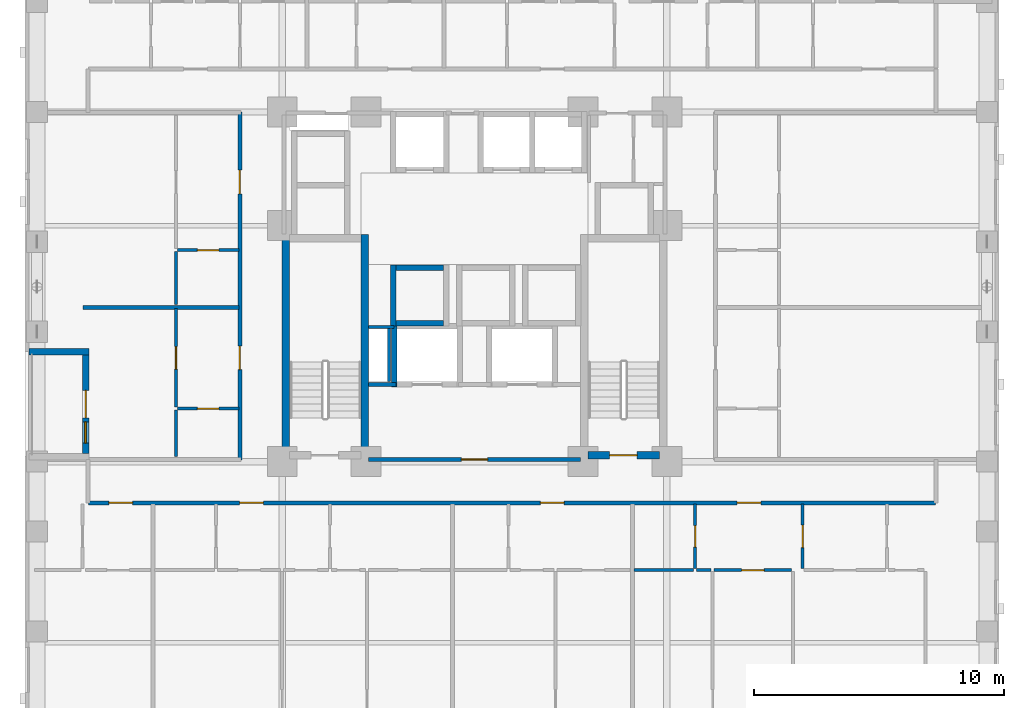
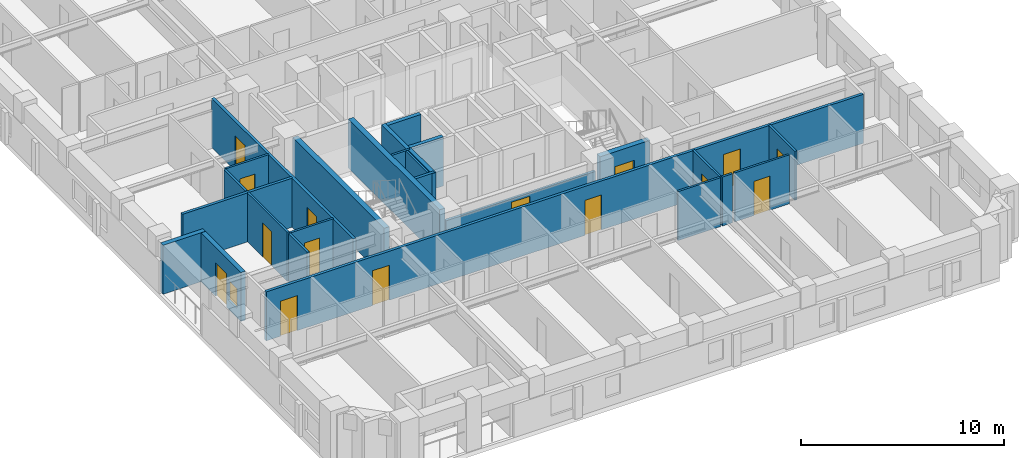
# One storey, part 4 of 14: 26 walls, 15 doors, 1 window, 16 openings.
"""IFC4 building model written with IfcOpenShell, lengths in metres."""

from ifc_helpers import new_model, si_unit, derived_unit, direction, frame, frame_2d, origin, place, context, subcontext, project, spatial, rectangle, extrude, material, layer, layer_set, type_object, element, fill, save


model = new_model("IFC4")

# Units and contexts
model_context = context("Model", 3, precision=1e-05, world=origin(), true_north=direction((0.0, 1.0)))
body_context = subcontext(model_context, "Body", "Model", "MODEL_VIEW")
ifc_project = project(units=[si_unit("LENGTHUNIT", "METRE"), si_unit("AREAUNIT", "SQUARE_METRE"), si_unit("VOLUMEUNIT", "CUBIC_METRE"), si_unit("PLANEANGLEUNIT", "RADIAN"), si_unit("MASSUNIT", "GRAM", prefix="KILO"), derived_unit("THERMALTRANSMITTANCEUNIT", [(si_unit("MASSUNIT", "GRAM", prefix="KILO"), 1), (si_unit("TIMEUNIT", "SECOND"), -3), (si_unit("THERMODYNAMICTEMPERATUREUNIT", "KELVIN"), -1)])], contexts=[model_context])

# Site, building, storey
site_placement = place(None, origin())
site = spatial("IfcSite", under=ifc_project, at=site_placement, CompositionType="ELEMENT")
building_placement = place(site_placement, origin())
building = spatial("IfcBuilding", under=site, at=building_placement, Name="Korrvale Station Residences", CompositionType="ELEMENT")
storey_placement = place(building_placement, frame((0.0, 0.0, 54.60009765625)))
storey = spatial("IfcBuildingStorey", under=building, at=storey_placement, Name="L14", CompositionType="ELEMENT", Elevation=54.60009765625)

# Walls
ifc_material_1 = material(Name="Concrete C70/85", Category="concrete")
ifc_layer_1 = layer(ifc_material_1, 0.300048828125, Name="Concrete C70/85")
ifc_layer_set_1 = layer_set([ifc_layer_1], Name="Concrete C70/85")
wall_type_1 = type_object("IfcWallType", Name="WAL-CORE-300-C70", PredefinedType="SHEAR", material=ifc_layer_set_1)
for number, where, z_axis, x_axis, name in (
    (1, (17.949951171875, 15.10009765625, 0.0), (0.0, 0.0, 1.0), (0.0, 1.0, 0.0), "L14 ST-1 Core Shear Wall West"),
    (2, (21.10009765625, 15.10009765625, 0.0), (0.0, 0.0, 1.0), (0.0, 1.0, 0.0), "L14 ST-1 Core Shear Wall East"),
):
    element("IfcWall", number, at=place(storey_placement, frame(where, z_axis=z_axis, x_axis=x_axis)), inside=storey, type_object=wall_type_1, Name=name, PredefinedType="SHEAR", context=body_context, shape_type="SweptSolid", body=[
        extrude(rectangle(XDim=9.0, YDim=0.300048828125, at=frame_2d((4.5, 0.0))), origin(), (0.0, 0.0, 1.0), 2.93994140625),
    ])

# Wall, opening, door
wall_1_placement = place(storey_placement, frame((30.050048828125, 15.25, 0.0), z_axis=(0.0, 0.0, 1.0), x_axis=(1.0, 0.0, 0.0)))
wall_1 = element("IfcWall", 3, at=wall_1_placement, inside=storey, type_object=wall_type_1, Name="L14 ST-2 Core Shear Wall South", PredefinedType="SHEAR", context=body_context, shape_type="SweptSolid", body=[
    extrude(rectangle(XDim=2.849853515625, YDim=0.300048828125, at=frame_2d((1.4248046875, 0.0))), origin(), (0.0, 0.0, 1.0), 2.93994140625),
])
opening_1_placement = place(wall_1_placement, frame((0.860107421875, 0.0, 0.0)))
opening_1 = element("IfcOpeningElement", 4, at=opening_1_placement, cuts=wall_1, Name="Opening SD-1100", PredefinedType="OPENING", context=body_context, shape_type="SweptSolid", body=[
    extrude(rectangle(XDim=1.10009765625, YDim=2.050048828125, at=frame_2d((0.550048828125, 1.02490234375))), frame((0.0, 0.16015625, 0.0), z_axis=(0.0, -1.0, 0.0), x_axis=(1.0, 0.0, 0.0)), (0.0, 0.0, 1.0), 0.320068359375),
])
ifc_material_2 = material(Name="Hollow-metal fire-rated stair door with closer", Category="steel")
door_type_1 = type_object("IfcDoorType", Name="DR-STAIR-1100", OperationType="NOTDEFINED", PredefinedType="DOOR", material=ifc_material_2)
door_1_placement = place(opening_1_placement, origin())
door_1 = element("IfcDoor", 5, at=door_1_placement, inside=storey, type_object=door_type_1, Name="L14 ST-2 Exit Stair Door", OperationType="SINGLE_SWING_RIGHT", OverallHeight=2.050048828125, OverallWidth=1.10009765625, PredefinedType="DOOR", context=body_context, shape_type="SweptSolid", body=[
    extrude(rectangle(XDim=1.10009765625, YDim=2.050048828125, at=frame_2d((0.550048828125, 1.02490234375))), frame((0.0, 0.02490234375, 0.0), z_axis=(0.0, -1.0, 0.0), x_axis=(1.0, 0.0, 0.0)), (0.0, 0.0, 1.0), 0.050048828125),
])
fill(opening_1, door_1)

# Wall, openings, door, window
ifc_material_3 = material(Name="Precast concrete C45/55", Category="concrete")
ifc_layer_2 = layer(ifc_material_3, 0.260009765625, Name="Precast concrete C45/55")
ifc_layer_set_2 = layer_set([ifc_layer_2], Name="Precast concrete C45/55")
wall_type_2 = type_object("IfcWallType", Name="WAL-EXT-LOG260", PredefinedType="SOLIDWALL", material=ifc_layer_set_2)
wall_2_placement = place(storey_placement, frame((9.929931640625, 15.333984375, 0.0), z_axis=(0.0, 0.0, 1.0), x_axis=(0.0, 1.0, 0.0)))
wall_2 = element("IfcWall", 6, at=wall_2_placement, inside=storey, type_object=wall_type_2, Name="L14 Recessed Loggia Wall BAL-L14-W1-B", PredefinedType="SOLIDWALL", context=body_context, shape_type="SweptSolid", body=[
    extrude(rectangle(XDim=3.93212890625, YDim=0.260009765625, at=frame_2d((1.966064453125, 0.0))), origin(), (0.0, 0.0, 1.0), 2.93994140625),
])
opening_2_placement = place(wall_2_placement, frame((1.416015625, 0.0, 0.0)))
opening_2 = element("IfcOpeningElement", 7, at=opening_2_placement, cuts=wall_2, Name="Opening BD-01", PredefinedType="OPENING", context=body_context, shape_type="SweptSolid", body=[
    extrude(rectangle(XDim=1.10009765625, YDim=2.0, at=frame_2d((0.550048828125, 1.0))), frame((0.0, 0.14013671875, 0.0), z_axis=(0.0, -1.0, 0.0), x_axis=(1.0, 0.0, 0.0)), (0.0, 0.0, 1.0), 0.280029296875),
])
opening_3_placement = place(wall_2_placement, frame((0.406005859375, 0.0, 0.550048828125)))
opening_3 = element("IfcOpeningElement", 8, at=opening_3_placement, cuts=wall_2, Name="Opening W-11", PredefinedType="OPENING", context=body_context, shape_type="SweptSolid", body=[
    extrude(rectangle(XDim=0.85009765625, YDim=1.199951171875, at=frame_2d((0.425048828125, 0.60009765625))), frame((0.0, 0.14013671875, 0.0), z_axis=(0.0, -1.0, 0.0), x_axis=(1.0, 0.0, 0.0)), (0.0, 0.0, 1.0), 0.280029296875),
])
ifc_material_4 = material(Name="Exterior thermally broken aluminium glazed balcony door", Category="aluminium")
door_type_2 = type_object("IfcDoorType", Name="DR-EXT-BAL", OperationType="NOTDEFINED", PredefinedType="DOOR", material=ifc_material_4)
door_2_placement = place(opening_2_placement, origin())
door_2 = element("IfcDoor", 9, at=door_2_placement, inside=storey, type_object=door_type_2, Name="L14 Loggia Balcony Door BAL-L14-W1", OperationType="SINGLE_SWING_RIGHT", OverallHeight=2.0, OverallWidth=1.10009765625, PredefinedType="DOOR", context=body_context, shape_type="SweptSolid", body=[
    extrude(rectangle(XDim=1.10009765625, YDim=2.0, at=frame_2d((0.550048828125, 1.0))), frame((0.0, 0.02490234375, 0.0), z_axis=(0.0, -1.0, 0.0), x_axis=(1.0, 0.0, 0.0)), (0.0, 0.0, 1.0), 0.050048828125),
])
fill(opening_2, door_2)
ifc_material_5 = material(Name="Thermally broken aluminium frame with triple low-e glazing", Category="aluminium")
window_type = type_object("IfcWindowType", Name="WIN-W11", PartitioningType="SINGLE_PANEL", PredefinedType="WINDOW", material=ifc_material_5)
window_placement = place(opening_3_placement, origin())
window = element("IfcWindow", 10, at=window_placement, inside=storey, type_object=window_type, Name="L14 Punched Window 24", OverallHeight=1.199951171875, OverallWidth=0.85009765625, PartitioningType="SINGLE_PANEL", PredefinedType="WINDOW", context=body_context, shape_type="SweptSolid", body=[
    extrude(rectangle(XDim=0.85009765625, YDim=1.199951171875, at=frame_2d((0.425048828125, 0.60009765625))), frame((0.0, 0.030029296875, 0.0), z_axis=(0.0, -1.0, 0.0), x_axis=(1.0, 0.0, 0.0)), (0.0, 0.0, 1.0), 0.06005859375),
])
fill(opening_3, window)

# Walls
wall_3_placement = place(storey_placement, frame((10.06005859375, 19.39990234375, 0.0), z_axis=(0.0, 0.0, 1.0), x_axis=(-1.0, 0.0, 0.0)))
element("IfcWall", 11, at=wall_3_placement, inside=storey, type_object=wall_type_2, Name="L14 Recessed Loggia Wall BAL-L14-W1-R", PredefinedType="SOLIDWALL", context=body_context, shape_type="SweptSolid", body=[
    extrude(rectangle(XDim=2.400146484375, YDim=0.260009765625, at=frame_2d((1.2001953125, 0.0))), origin(), (0.0, 0.0, 1.0), 2.93994140625),
])
ifc_material_6 = material(Name="Acoustic steel-stud gypsum board partition", Category="steel")
ifc_layer_3 = layer(ifc_material_6, 0.1201171875, Name="Acoustic steel-stud gypsum board partition")
ifc_layer_set_3 = layer_set([ifc_layer_3], Name="Acoustic steel-stud gypsum board partition")
wall_type_3 = type_object("IfcWallType", Name="WAL-PART-125", PredefinedType="PARTITIONING", material=ifc_layer_set_3)
wall_4_placement = place(storey_placement, frame((22.080078125, 18.199951171875, 0.0), z_axis=(0.0, 0.0, 1.0), x_axis=(0.0, 1.0, 0.0)))
element("IfcWall", 12, at=wall_4_placement, inside=storey, type_object=wall_type_3, Name="L14 Core Partition CW-RSWT", PredefinedType="PARTITIONING", context=body_context, shape_type="SweptSolid", body=[
    extrude(rectangle(XDim=2.1201171875, YDim=0.1201171875, at=frame_2d((1.06005859375, 0.0))), origin(), (0.0, 0.0, 1.0), 2.93994140625),
])
wall_5_placement = place(storey_placement, frame((22.280029296875, 20.3798828125, 0.0), z_axis=(0.0, 0.0, 1.0), x_axis=(-1.0, 0.0, 0.0)))
element("IfcWall", 13, at=wall_5_placement, inside=storey, type_object=wall_type_3, Name="L14 Core Partition CW-RSWT-N", PredefinedType="PARTITIONING", context=body_context, shape_type="SweptSolid", body=[
    extrude(rectangle(XDim=1.02001953125, YDim=0.1201171875, at=frame_2d((0.510009765625, 0.0))), origin(), (0.0, 0.0, 1.0), 2.93994140625),
])

# Wall, opening, door
wall_6_placement = place(storey_placement, frame((34.3369140625, 10.7099609375, 0.0), z_axis=(0.0, 0.0, 1.0), x_axis=(0.0, 1.0, 0.0)))
wall_6 = element("IfcWall", 14, at=wall_6_placement, inside=storey, type_object=wall_type_3, Name="L14 Suite Partition U04-V01", PredefinedType="PARTITIONING", context=body_context, shape_type="SweptSolid", body=[
    extrude(rectangle(XDim=2.60009765625, YDim=0.1201171875, at=frame_2d((1.300048828125, 0.0))), origin(), (0.0, 0.0, 1.0), 2.93994140625),
])
opening_4_placement = place(wall_6_placement, frame((0.8701171875, 0.0, 0.0)))
opening_4 = element("IfcOpeningElement", 15, at=opening_4_placement, cuts=wall_6, Name="Opening DB-860", PredefinedType="OPENING", context=body_context, shape_type="SweptSolid", body=[
    extrude(rectangle(XDim=0.860107421875, YDim=2.050048828125, at=frame_2d((0.43017578125, 1.02490234375))), frame((0.0, 0.070068359375, 0.0), z_axis=(0.0, -1.0, 0.0), x_axis=(1.0, 0.0, 0.0)), (0.0, 0.0, 1.0), 0.14013671875),
])
ifc_material_7 = material(Name="Moisture-resistant solid-core bathroom door", Category="timber")
door_type_3 = type_object("IfcDoorType", Name="DR-BATH-860", OperationType="NOTDEFINED", PredefinedType="DOOR", material=ifc_material_7)
door_3_placement = place(opening_4_placement, origin())
door_3 = element("IfcDoor", 16, at=door_3_placement, inside=storey, type_object=door_type_3, Name="L14 Studio Apartment L14-U04 Bathroom Door", OperationType="SINGLE_SWING_LEFT", OverallHeight=2.050048828125, OverallWidth=0.860107421875, PredefinedType="DOOR", context=body_context, shape_type="SweptSolid", body=[
    extrude(rectangle(XDim=0.860107421875, YDim=2.050048828125, at=frame_2d((0.43017578125, 1.02490234375))), frame((0.0, 0.02490234375, 0.0), z_axis=(0.0, -1.0, 0.0), x_axis=(1.0, 0.0, 0.0)), (0.0, 0.0, 1.0), 0.050048828125),
])
fill(opening_4, door_3)

# Wall
wall_7_placement = place(storey_placement, frame((31.876953125, 10.64990234375, 0.0), z_axis=(0.0, 0.0, 1.0), x_axis=(1.0, 0.0, 0.0)))
element("IfcWall", 17, at=wall_7_placement, inside=storey, type_object=wall_type_3, Name="L14 Suite Partition U04-H04", PredefinedType="PARTITIONING", context=body_context, shape_type="SweptSolid", body=[
    extrude(rectangle(XDim=2.400146484375, YDim=0.1201171875, at=frame_2d((1.2001953125, 0.0))), origin(), (0.0, 0.0, 1.0), 2.93994140625),
])

# Wall, opening, door
wall_8_placement = place(storey_placement, frame((38.636962890625, 10.7099609375, 0.0), z_axis=(0.0, 0.0, 1.0), x_axis=(0.0, 1.0, 0.0)))
wall_8 = element("IfcWall", 18, at=wall_8_placement, inside=storey, type_object=wall_type_3, Name="L14 Suite Partition U04-V12", PredefinedType="PARTITIONING", context=body_context, shape_type="SweptSolid", body=[
    extrude(rectangle(XDim=2.60009765625, YDim=0.1201171875, at=frame_2d((1.300048828125, 0.0))), origin(), (0.0, 0.0, 1.0), 2.93994140625),
])
opening_5_placement = place(wall_8_placement, frame((0.85009765625, 0.0, 0.0)))
opening_5 = element("IfcOpeningElement", 19, at=opening_5_placement, cuts=wall_8, Name="Opening DI-900", PredefinedType="OPENING", context=body_context, shape_type="SweptSolid", body=[
    extrude(rectangle(XDim=0.89990234375, YDim=2.050048828125, at=frame_2d((0.449951171875, 1.02490234375))), frame((0.0, 0.070068359375, 0.0), z_axis=(0.0, -1.0, 0.0), x_axis=(1.0, 0.0, 0.0)), (0.0, 0.0, 1.0), 0.14013671875),
])
ifc_material_8 = material(Name="Painted solid-core timber interior room door", Category="wood")
door_type_4 = type_object("IfcDoorType", Name="DR-INT-900", OperationType="NOTDEFINED", PredefinedType="DOOR", material=ifc_material_8)
door_4_placement = place(opening_5_placement, origin())
door_4 = element("IfcDoor", 20, at=door_4_placement, inside=storey, type_object=door_type_4, Name="L14 Studio Apartment L14-U04 Kitchen Door", OperationType="SINGLE_SWING_RIGHT", OverallHeight=2.050048828125, OverallWidth=0.89990234375, PredefinedType="DOOR", context=body_context, shape_type="SweptSolid", body=[
    extrude(rectangle(XDim=0.89990234375, YDim=2.050048828125, at=frame_2d((0.449951171875, 1.02490234375))), frame((0.0, 0.02490234375, 0.0), z_axis=(0.0, -1.0, 0.0), x_axis=(1.0, 0.0, 0.0)), (0.0, 0.0, 1.0), 0.050048828125),
])
fill(opening_5, door_4)

# Wall
wall_9_placement = place(storey_placement, frame((34.39697265625, 10.64990234375, 0.0), z_axis=(0.0, 0.0, 1.0), x_axis=(1.0, 0.0, 0.0)))
element("IfcWall", 21, at=wall_9_placement, inside=storey, type_object=wall_type_3, Name="L14 Suite Partition U04-H14", PredefinedType="PARTITIONING", context=body_context, shape_type="SweptSolid", body=[
    extrude(rectangle(XDim=0.580078125, YDim=0.1201171875, at=frame_2d((0.2900390625, 0.0))), origin(), (0.0, 0.0, 1.0), 2.93994140625),
])

# Wall, opening, door
wall_10_placement = place(storey_placement, frame((35.096923828125, 10.64990234375, 0.0), z_axis=(0.0, 0.0, 1.0), x_axis=(1.0, 0.0, 0.0)))
wall_10 = element("IfcWall", 22, at=wall_10_placement, inside=storey, type_object=wall_type_3, Name="L14 Suite Partition U04-H15", PredefinedType="PARTITIONING", context=body_context, shape_type="SweptSolid", body=[
    extrude(rectangle(XDim=3.10009765625, YDim=0.1201171875, at=frame_2d((1.550048828125, 0.0))), origin(), (0.0, 0.0, 1.0), 2.93994140625),
])
opening_6_placement = place(wall_10_placement, frame((1.10009765625, 0.0, 0.0)))
opening_6 = element("IfcOpeningElement", 23, at=opening_6_placement, cuts=wall_10, Name="Opening DI-900", PredefinedType="OPENING", context=body_context, shape_type="SweptSolid", body=[
    extrude(rectangle(XDim=0.89990234375, YDim=2.050048828125, at=frame_2d((0.449951171875, 1.02490234375))), frame((0.0, 0.070068359375, 0.0), z_axis=(0.0, -1.0, 0.0), x_axis=(1.0, 0.0, 0.0)), (0.0, 0.0, 1.0), 0.14013671875),
])
door_5_placement = place(opening_6_placement, origin())
door_5 = element("IfcDoor", 24, at=door_5_placement, inside=storey, type_object=door_type_4, Name="L14 Studio Apartment L14-U04 Kitchen Door", OperationType="SINGLE_SWING_LEFT", OverallHeight=2.050048828125, OverallWidth=0.89990234375, PredefinedType="DOOR", context=body_context, shape_type="SweptSolid", body=[
    extrude(rectangle(XDim=0.89990234375, YDim=2.050048828125, at=frame_2d((0.449951171875, 1.02490234375))), frame((0.0, 0.02490234375, 0.0), z_axis=(0.0, -1.0, 0.0), x_axis=(1.0, 0.0, 0.0)), (0.0, 0.0, 1.0), 0.050048828125),
])
fill(opening_6, door_5)

wall_11_placement = place(storey_placement, frame((13.610107421875, 17.1201171875, 0.0), z_axis=(0.0, 0.0, 1.0), x_axis=(1.0, 0.0, 0.0)))
wall_11 = element("IfcWall", 25, at=wall_11_placement, inside=storey, type_object=wall_type_3, Name="L14 Suite Partition U09-H01", PredefinedType="PARTITIONING", context=body_context, shape_type="SweptSolid", body=[
    extrude(rectangle(XDim=2.449951171875, YDim=0.1201171875, at=frame_2d((1.22509765625, 0.0))), origin(), (0.0, 0.0, 1.0), 2.93994140625),
])
opening_7_placement = place(wall_11_placement, frame((0.794921875, 0.0, 0.0)))
opening_7 = element("IfcOpeningElement", 26, at=opening_7_placement, cuts=wall_11, Name="Opening DB-860", PredefinedType="OPENING", context=body_context, shape_type="SweptSolid", body=[
    extrude(rectangle(XDim=0.860107421875, YDim=2.050048828125, at=frame_2d((0.43017578125, 1.02490234375))), frame((0.0, 0.070068359375, 0.0), z_axis=(0.0, -1.0, 0.0), x_axis=(1.0, 0.0, 0.0)), (0.0, 0.0, 1.0), 0.14013671875),
])
door_6_placement = place(opening_7_placement, origin())
door_6 = element("IfcDoor", 27, at=door_6_placement, inside=storey, type_object=door_type_3, Name="L14 Apartment 1BR L14-U09 Bathroom Door", OperationType="SINGLE_SWING_RIGHT", OverallHeight=2.050048828125, OverallWidth=0.860107421875, PredefinedType="DOOR", context=body_context, shape_type="SweptSolid", body=[
    extrude(rectangle(XDim=0.860107421875, YDim=2.050048828125, at=frame_2d((0.43017578125, 1.02490234375))), frame((0.0, 0.02490234375, 0.0), z_axis=(0.0, -1.0, 0.0), x_axis=(1.0, 0.0, 0.0)), (0.0, 0.0, 1.0), 0.050048828125),
])
fill(opening_7, door_6)

# Wall
wall_12_placement = place(storey_placement, frame((13.550048828125, 15.2099609375, 0.0), z_axis=(0.0, 0.0, 1.0), x_axis=(0.0, 1.0, 0.0)))
element("IfcWall", 28, at=wall_12_placement, inside=storey, type_object=wall_type_3, Name="L14 Suite Partition U09-V02", PredefinedType="PARTITIONING", context=body_context, shape_type="SweptSolid", body=[
    extrude(rectangle(XDim=1.85009765625, YDim=0.1201171875, at=frame_2d((0.925048828125, 0.0))), origin(), (0.0, 0.0, 1.0), 2.93994140625),
])

# Wall, opening, door
wall_13_placement = place(storey_placement, frame((13.550048828125, 17.179931640625, 0.0), z_axis=(0.0, 0.0, 1.0), x_axis=(0.0, 1.0, 0.0)))
wall_13 = element("IfcWall", 29, at=wall_13_placement, inside=storey, type_object=wall_type_3, Name="L14 Suite Partition U09-V12", PredefinedType="PARTITIONING", context=body_context, shape_type="SweptSolid", body=[
    extrude(rectangle(XDim=3.946044921875, YDim=0.1201171875, at=frame_2d((1.97314453125, 0.0))), origin(), (0.0, 0.0, 1.0), 2.93994140625),
])
opening_8_placement = place(wall_13_placement, frame((1.52294921875, 0.0, 0.0)))
opening_8 = element("IfcOpeningElement", 30, at=opening_8_placement, cuts=wall_13, Name="Opening DI-900", PredefinedType="OPENING", context=body_context, shape_type="SweptSolid", body=[
    extrude(rectangle(XDim=0.89990234375, YDim=2.050048828125, at=frame_2d((0.449951171875, 1.02490234375))), frame((0.0, 0.070068359375, 0.0), z_axis=(0.0, -1.0, 0.0), x_axis=(1.0, 0.0, 0.0)), (0.0, 0.0, 1.0), 0.14013671875),
])
door_7_placement = place(opening_8_placement, origin())
door_7 = element("IfcDoor", 31, at=door_7_placement, inside=storey, type_object=door_type_4, Name="L14 Apartment 1BR L14-U09 Kitchen Door", OperationType="SINGLE_SWING_LEFT", OverallHeight=2.050048828125, OverallWidth=0.89990234375, PredefinedType="DOOR", context=body_context, shape_type="SweptSolid", body=[
    extrude(rectangle(XDim=0.89990234375, YDim=2.050048828125, at=frame_2d((0.449951171875, 1.02490234375))), frame((0.0, 0.02490234375, 0.0), z_axis=(0.0, -1.0, 0.0), x_axis=(1.0, 0.0, 0.0)), (0.0, 0.0, 1.0), 0.050048828125),
])
fill(opening_8, door_7)

wall_14_placement = place(storey_placement, frame((13.610107421875, 23.467041015625, 0.0), z_axis=(0.0, 0.0, 1.0), x_axis=(1.0, 0.0, 0.0)))
wall_14 = element("IfcWall", 32, at=wall_14_placement, inside=storey, type_object=wall_type_3, Name="L14 Suite Partition U10-H01", PredefinedType="PARTITIONING", context=body_context, shape_type="SweptSolid", body=[
    extrude(rectangle(XDim=2.449951171875, YDim=0.1201171875, at=frame_2d((1.22509765625, 0.0))), origin(), (0.0, 0.0, 1.0), 2.93994140625),
])
opening_9_placement = place(wall_14_placement, frame((0.794921875, 0.0, 0.0)))
opening_9 = element("IfcOpeningElement", 33, at=opening_9_placement, cuts=wall_14, Name="Opening DB-860", PredefinedType="OPENING", context=body_context, shape_type="SweptSolid", body=[
    extrude(rectangle(XDim=0.860107421875, YDim=2.050048828125, at=frame_2d((0.43017578125, 1.02490234375))), frame((0.0, 0.070068359375, 0.0), z_axis=(0.0, -1.0, 0.0), x_axis=(1.0, 0.0, 0.0)), (0.0, 0.0, 1.0), 0.14013671875),
])
door_8_placement = place(opening_9_placement, origin())
door_8 = element("IfcDoor", 34, at=door_8_placement, inside=storey, type_object=door_type_3, Name="L14 Apartment 1BR L14-U10 Bathroom Door", OperationType="SINGLE_SWING_RIGHT", OverallHeight=2.050048828125, OverallWidth=0.860107421875, PredefinedType="DOOR", context=body_context, shape_type="SweptSolid", body=[
    extrude(rectangle(XDim=0.860107421875, YDim=2.050048828125, at=frame_2d((0.43017578125, 1.02490234375))), frame((0.0, 0.02490234375, 0.0), z_axis=(0.0, -1.0, 0.0), x_axis=(1.0, 0.0, 0.0)), (0.0, 0.0, 1.0), 0.050048828125),
])
fill(opening_9, door_8)

# Wall
wall_15_placement = place(storey_placement, frame((13.550048828125, 21.285888671875, 0.0), z_axis=(0.0, 0.0, 1.0), x_axis=(0.0, 1.0, 0.0)))
element("IfcWall", 35, at=wall_15_placement, inside=storey, type_object=wall_type_3, Name="L14 Suite Partition U10-V02", PredefinedType="PARTITIONING", context=body_context, shape_type="SweptSolid", body=[
    extrude(rectangle(XDim=2.12109375, YDim=0.1201171875, at=frame_2d((1.060546875, 0.0))), origin(), (0.0, 0.0, 1.0), 2.93994140625),
])

# Wall, opening, door
ifc_material_9 = material(Name="Fire-rated twin-stud gypsum and mineral wool shaftwall assembly", Category="gypsum")
ifc_layer_4 = layer(ifc_material_9, 0.159912109375, Name="Fire-rated twin-stud gypsum and mineral wool shaftwall assembly")
ifc_layer_set_4 = layer_set([ifc_layer_4], Name="Fire-rated twin-stud gypsum and mineral wool shaftwall assembly")
wall_type_4 = type_object("IfcWallType", Name="WAL-PART-200", PredefinedType="PARTITIONING", material=ifc_layer_set_4)
wall_16_placement = place(storey_placement, frame((21.25, 15.080078125, 0.0), z_axis=(0.0, 0.0, 1.0), x_axis=(1.0, 0.0, 0.0)))
wall_16 = element("IfcWall", 36, at=wall_16_placement, inside=storey, type_object=wall_type_4, Name="L14 Core Partition CW-FFL-S", PredefinedType="PARTITIONING", context=body_context, shape_type="SweptSolid", body=[
    extrude(rectangle(XDim=8.5, YDim=0.159912109375, at=frame_2d((4.25, 0.0))), origin(), (0.0, 0.0, 1.0), 2.23193359375),
])
opening_10_placement = place(wall_16_placement, frame((3.72509765625, 0.0, 0.0)))
opening_10 = element("IfcOpeningElement", 37, at=opening_10_placement, cuts=wall_16, Name="Opening FD-1050", PredefinedType="OPENING", context=body_context, shape_type="SweptSolid", body=[
    extrude(rectangle(XDim=1.050048828125, YDim=2.050048828125, at=frame_2d((0.52490234375, 1.02490234375))), frame((0.0, 0.08984375, 0.0), z_axis=(0.0, -1.0, 0.0), x_axis=(1.0, 0.0, 0.0)), (0.0, 0.0, 1.0), 0.179931640625),
])
ifc_material_10 = material(Name="Fire-rated mineral-core timber lobby door", Category="wood")
door_type_5 = type_object("IfcDoorType", Name="DR-CORE-1050", OperationType="NOTDEFINED", PredefinedType="DOOR", material=ifc_material_10)
door_9_placement = place(opening_10_placement, origin())
door_9 = element("IfcDoor", 38, at=door_9_placement, inside=storey, type_object=door_type_5, Name="L14 Firefighting Lobby Entry Door", OperationType="SINGLE_SWING_RIGHT", OverallHeight=2.050048828125, OverallWidth=1.050048828125, PredefinedType="DOOR", context=body_context, shape_type="SweptSolid", body=[
    extrude(rectangle(XDim=1.050048828125, YDim=2.050048828125, at=frame_2d((0.52490234375, 1.02490234375))), frame((0.0, 0.02490234375, 0.0), z_axis=(0.0, -1.0, 0.0), x_axis=(1.0, 0.0, 0.0)), (0.0, 0.0, 1.0), 0.050048828125),
])
fill(opening_10, door_9)

# Walls
wall_17_placement = place(storey_placement, frame((21.25, 18.080078125, 0.0), z_axis=(0.0, 0.0, 1.0), x_axis=(1.0, 0.0, 0.0)))
element("IfcWall", 39, at=wall_17_placement, inside=storey, type_object=wall_type_4, Name="L14 Core Partition CW-FFL-N1", PredefinedType="PARTITIONING", context=body_context, shape_type="SweptSolid", body=[
    extrude(rectangle(XDim=1.10009765625, YDim=0.159912109375, at=frame_2d((0.550048828125, 0.0))), origin(), (0.0, 0.0, 1.0), 2.93994140625),
])
wall_18_placement = place(storey_placement, frame((9.820068359375, 21.166015625, 0.0), z_axis=(0.0, 0.0, 1.0), x_axis=(1.0, 0.0, 0.0)))
element("IfcWall", 40, at=wall_18_placement, inside=storey, type_object=wall_type_4, Name="L14 Demising Wall U09-N", PredefinedType="PARTITIONING", context=body_context, shape_type="SweptSolid", body=[
    extrude(rectangle(XDim=6.239990234375, YDim=0.159912109375, at=frame_2d((3.1201171875, 0.0))), origin(), (0.0, 0.0, 1.0), 2.93994140625),
])

# Wall, openings, doors
wall_19_placement = place(storey_placement, frame((10.050048828125, 13.35009765625, 0.0), z_axis=(0.0, 0.0, 1.0), x_axis=(1.0, 0.0, 0.0)))
wall_19 = element("IfcWall", 41, at=wall_19_placement, inside=storey, type_object=wall_type_4, Name="L14 Rated Corridor Wall S", PredefinedType="PARTITIONING", context=body_context, shape_type="SweptSolid", body=[
    extrude(rectangle(XDim=33.89990234375, YDim=0.159912109375, at=frame_2d((16.949951171875, 0.0))), origin(), (0.0, 0.0, 1.0), 2.93994140625),
])
opening_11_placement = place(wall_19_placement, frame((0.81298828125, 0.0, 0.0)))
opening_11 = element("IfcOpeningElement", 42, at=opening_11_placement, cuts=wall_19, Name="Opening UD-950", PredefinedType="OPENING", context=body_context, shape_type="SweptSolid", body=[
    extrude(rectangle(XDim=0.949951171875, YDim=2.10009765625, at=frame_2d((0.47509765625, 1.050048828125))), frame((0.0, 0.08984375, 0.0), z_axis=(0.0, -1.0, 0.0), x_axis=(1.0, 0.0, 0.0)), (0.0, 0.0, 1.0), 0.179931640625),
])
opening_12_placement = place(wall_19_placement, frame((6.0400390625, 0.0, 0.0)))
opening_12 = element("IfcOpeningElement", 43, at=opening_12_placement, cuts=wall_19, Name="Opening UD-950", PredefinedType="OPENING", context=body_context, shape_type="SweptSolid", body=[
    extrude(rectangle(XDim=0.949951171875, YDim=2.10009765625, at=frame_2d((0.47509765625, 1.050048828125))), frame((0.0, 0.08984375, 0.0), z_axis=(0.0, -1.0, 0.0), x_axis=(1.0, 0.0, 0.0)), (0.0, 0.0, 1.0), 0.179931640625),
])
opening_13_placement = place(wall_19_placement, frame((18.090087890625, 0.0, 0.0)))
opening_13 = element("IfcOpeningElement", 44, at=opening_13_placement, cuts=wall_19, Name="Opening UD-950", PredefinedType="OPENING", context=body_context, shape_type="SweptSolid", body=[
    extrude(rectangle(XDim=0.949951171875, YDim=2.10009765625, at=frame_2d((0.47509765625, 1.050048828125))), frame((0.0, 0.08984375, 0.0), z_axis=(0.0, -1.0, 0.0), x_axis=(1.0, 0.0, 0.0)), (0.0, 0.0, 1.0), 0.179931640625),
])
opening_14_placement = place(wall_19_placement, frame((25.9619140625, 0.0, 0.0)))
opening_14 = element("IfcOpeningElement", 45, at=opening_14_placement, cuts=wall_19, Name="Opening UD-950", PredefinedType="OPENING", context=body_context, shape_type="SweptSolid", body=[
    extrude(rectangle(XDim=0.949951171875, YDim=2.10009765625, at=frame_2d((0.47509765625, 1.050048828125))), frame((0.0, 0.08984375, 0.0), z_axis=(0.0, -1.0, 0.0), x_axis=(1.0, 0.0, 0.0)), (0.0, 0.0, 1.0), 0.179931640625),
])
ifc_material_11 = material(Name="Solid-core acoustic oak apartment entrance door", Category="timber")
door_type_6 = type_object("IfcDoorType", Name="DR-UNIT-950", OperationType="NOTDEFINED", PredefinedType="DOOR", material=ifc_material_11)
door_10_placement = place(opening_11_placement, origin())
door_10 = element("IfcDoor", 46, at=door_10_placement, inside=storey, type_object=door_type_6, Name="L14 Apartment L14-U01 Entrance Door", OperationType="SINGLE_SWING_RIGHT", OverallHeight=2.10009765625, OverallWidth=0.949951171875, PredefinedType="DOOR", context=body_context, shape_type="SweptSolid", body=[
    extrude(rectangle(XDim=0.949951171875, YDim=2.10009765625, at=frame_2d((0.47509765625, 1.050048828125))), frame((0.0, 0.02490234375, 0.0), z_axis=(0.0, -1.0, 0.0), x_axis=(1.0, 0.0, 0.0)), (0.0, 0.0, 1.0), 0.050048828125),
])
fill(opening_11, door_10)
door_11_placement = place(opening_12_placement, origin())
door_11 = element("IfcDoor", 47, at=door_11_placement, inside=storey, type_object=door_type_6, Name="L14 Apartment L14-U02 Entrance Door", OperationType="SINGLE_SWING_LEFT", OverallHeight=2.10009765625, OverallWidth=0.949951171875, PredefinedType="DOOR", context=body_context, shape_type="SweptSolid", body=[
    extrude(rectangle(XDim=0.949951171875, YDim=2.10009765625, at=frame_2d((0.47509765625, 1.050048828125))), frame((0.0, 0.02490234375, 0.0), z_axis=(0.0, -1.0, 0.0), x_axis=(1.0, 0.0, 0.0)), (0.0, 0.0, 1.0), 0.050048828125),
])
fill(opening_12, door_11)
door_12_placement = place(opening_13_placement, origin())
door_12 = element("IfcDoor", 48, at=door_12_placement, inside=storey, type_object=door_type_6, Name="L14 Apartment L14-U03 Entrance Door", OperationType="SINGLE_SWING_RIGHT", OverallHeight=2.10009765625, OverallWidth=0.949951171875, PredefinedType="DOOR", context=body_context, shape_type="SweptSolid", body=[
    extrude(rectangle(XDim=0.949951171875, YDim=2.10009765625, at=frame_2d((0.47509765625, 1.050048828125))), frame((0.0, 0.02490234375, 0.0), z_axis=(0.0, -1.0, 0.0), x_axis=(1.0, 0.0, 0.0)), (0.0, 0.0, 1.0), 0.050048828125),
])
fill(opening_13, door_12)
door_13_placement = place(opening_14_placement, origin())
door_13 = element("IfcDoor", 49, at=door_13_placement, inside=storey, type_object=door_type_6, Name="L14 Apartment L14-U04 Entrance Door", OperationType="SINGLE_SWING_LEFT", OverallHeight=2.10009765625, OverallWidth=0.949951171875, PredefinedType="DOOR", context=body_context, shape_type="SweptSolid", body=[
    extrude(rectangle(XDim=0.949951171875, YDim=2.10009765625, at=frame_2d((0.47509765625, 1.050048828125))), frame((0.0, 0.02490234375, 0.0), z_axis=(0.0, -1.0, 0.0), x_axis=(1.0, 0.0, 0.0)), (0.0, 0.0, 1.0), 0.050048828125),
])
fill(opening_14, door_13)

wall_20_placement = place(storey_placement, frame((16.10009765625, 15.070068359375, 0.0), z_axis=(0.0, 0.0, 1.0), x_axis=(0.0, 1.0, 0.0)))
wall_20 = element("IfcWall", 50, at=wall_20_placement, inside=storey, type_object=wall_type_4, Name="L14 Rated Corridor Wall W", PredefinedType="PARTITIONING", context=body_context, shape_type="SweptSolid", body=[
    extrude(rectangle(XDim=13.929931640625, YDim=0.159912109375, at=frame_2d((6.96484375, 0.0))), origin(), (0.0, 0.0, 1.0), 2.93994140625),
])
opening_15_placement = place(wall_20_placement, frame((3.60791015625, 0.0, 0.0)))
opening_15 = element("IfcOpeningElement", 51, at=opening_15_placement, cuts=wall_20, Name="Opening UD-950", PredefinedType="OPENING", context=body_context, shape_type="SweptSolid", body=[
    extrude(rectangle(XDim=0.949951171875, YDim=2.10009765625, at=frame_2d((0.47509765625, 1.050048828125))), frame((0.0, 0.08984375, 0.0), z_axis=(0.0, -1.0, 0.0), x_axis=(1.0, 0.0, 0.0)), (0.0, 0.0, 1.0), 0.179931640625),
])
opening_16_placement = place(wall_20_placement, frame((10.64892578125, 0.0, 0.0)))
opening_16 = element("IfcOpeningElement", 52, at=opening_16_placement, cuts=wall_20, Name="Opening UD-950", PredefinedType="OPENING", context=body_context, shape_type="SweptSolid", body=[
    extrude(rectangle(XDim=0.949951171875, YDim=2.10009765625, at=frame_2d((0.47509765625, 1.050048828125))), frame((0.0, 0.08984375, 0.0), z_axis=(0.0, -1.0, 0.0), x_axis=(1.0, 0.0, 0.0)), (0.0, 0.0, 1.0), 0.179931640625),
])
door_14_placement = place(opening_15_placement, origin())
door_14 = element("IfcDoor", 53, at=door_14_placement, inside=storey, type_object=door_type_6, Name="L14 Apartment L14-U09 Entrance Door", OperationType="SINGLE_SWING_RIGHT", OverallHeight=2.10009765625, OverallWidth=0.949951171875, PredefinedType="DOOR", context=body_context, shape_type="SweptSolid", body=[
    extrude(rectangle(XDim=0.949951171875, YDim=2.10009765625, at=frame_2d((0.47509765625, 1.050048828125))), frame((0.0, 0.02490234375, 0.0), z_axis=(0.0, -1.0, 0.0), x_axis=(1.0, 0.0, 0.0)), (0.0, 0.0, 1.0), 0.050048828125),
])
fill(opening_15, door_14)
door_15_placement = place(opening_16_placement, origin())
door_15 = element("IfcDoor", 54, at=door_15_placement, inside=storey, type_object=door_type_6, Name="L14 Apartment L14-U10 Entrance Door", OperationType="SINGLE_SWING_LEFT", OverallHeight=2.10009765625, OverallWidth=0.949951171875, PredefinedType="DOOR", context=body_context, shape_type="SweptSolid", body=[
    extrude(rectangle(XDim=0.949951171875, YDim=2.10009765625, at=frame_2d((0.47509765625, 1.050048828125))), frame((0.0, 0.02490234375, 0.0), z_axis=(0.0, -1.0, 0.0), x_axis=(1.0, 0.0, 0.0)), (0.0, 0.0, 1.0), 0.050048828125),
])
fill(opening_16, door_15)

# Walls
ifc_layer_5 = layer(ifc_material_1, 0.219970703125, Name="Concrete C70/85")
ifc_layer_set_5 = layer_set([ifc_layer_5], Name="Concrete C70/85")
wall_type_5 = type_object("IfcWallType", Name="WAL-SHAFT-220-C70", PredefinedType="SHEAR", material=ifc_layer_set_5)
for number, where, z_axis, x_axis, name in (
    (55, (22.35009765625, 20.5400390625, 0.0), (0.0, 0.0, 1.0), (1.0, 0.0, 0.0), "L14 Elevator PM-1 Hoistway Wall South"),
    (56, (22.35009765625, 22.760009765625, 0.0), (0.0, 0.0, 1.0), (1.0, 0.0, 0.0), "L14 Elevator PM-1 Hoistway Wall North"),
):
    element("IfcWall", number, at=place(storey_placement, frame(where, z_axis=z_axis, x_axis=x_axis)), inside=storey, type_object=wall_type_5, Name=name, PredefinedType="SHEAR", context=body_context, shape_type="SweptSolid", body=[
        extrude(rectangle(XDim=1.89990234375, YDim=0.219970703125, at=frame_2d((0.949951171875, 0.0))), origin(), (0.0, 0.0, 1.0), 2.93994140625),
    ])
wall_21_placement = place(storey_placement, frame((22.239990234375, 20.429931640625, 0.0), z_axis=(0.0, 0.0, 1.0), x_axis=(0.0, 1.0, 0.0)))
element("IfcWall", 57, at=wall_21_placement, inside=storey, type_object=wall_type_5, Name="L14 Elevator PM-1 Hoistway Wall West", PredefinedType="SHEAR", context=body_context, shape_type="SweptSolid", body=[
    extrude(rectangle(XDim=2.440185546875, YDim=0.219970703125, at=frame_2d((1.22021484375, 0.0))), origin(), (0.0, 0.0, 1.0), 2.93994140625),
])
wall_22_placement = place(storey_placement, frame((22.2900390625, 17.97998046875, 0.0), z_axis=(0.0, 0.0, 1.0), x_axis=(0.0, 1.0, 0.0)))
element("IfcWall", 58, at=wall_22_placement, inside=storey, type_object=wall_type_5, Name="L14 Elevator FFL-1 Hoistway Wall West", PredefinedType="SHEAR", context=body_context, shape_type="SweptSolid", body=[
    extrude(rectangle(XDim=2.5400390625, YDim=0.219970703125, at=frame_2d((1.27001953125, 0.0))), origin(), (0.0, 0.0, 1.0), 2.93994140625),
])

save(model, "model.ifc")
